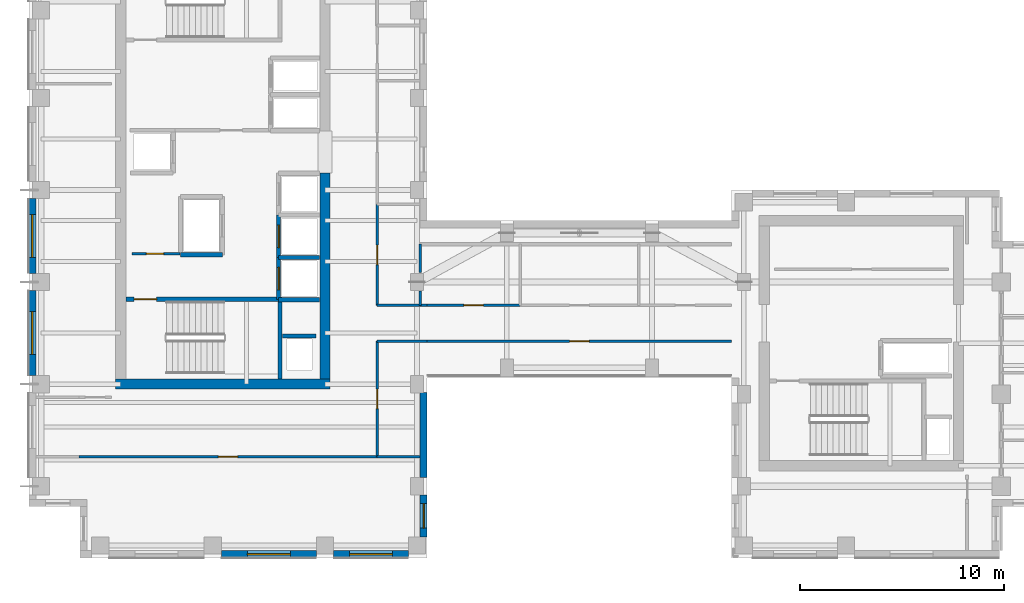
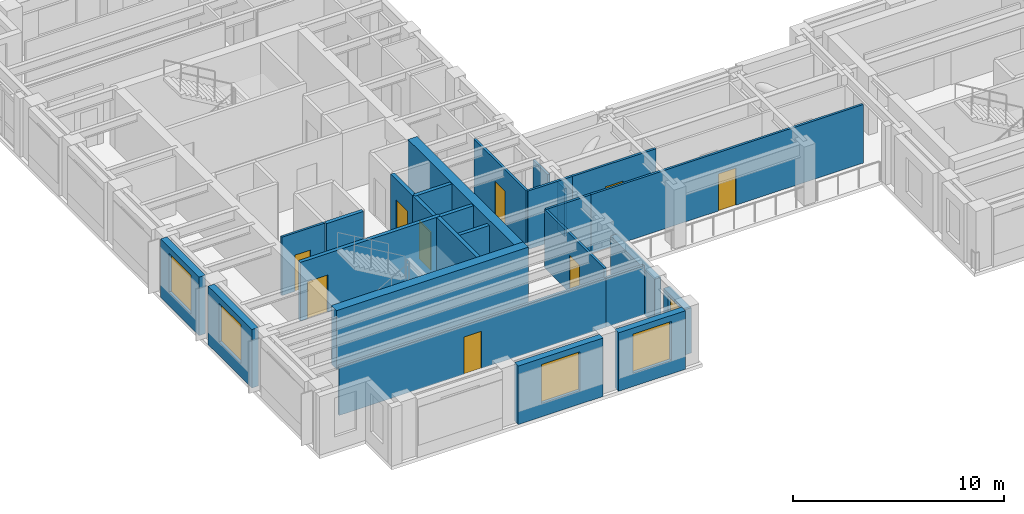
# One storey, part 6 of 13: 27 walls, 9 doors, 5 windows, 14 openings.
"""IFC4 building model written with IfcOpenShell, lengths in metres."""

from ifc_helpers import new_model, si_unit, direction, frame, frame_2d, origin, place, context, subcontext, project, spatial, rectangle, extrude, source, transform, mapped, material, layer, layer_set, type_object, element, fill, save


model = new_model("IFC4")

# Units and contexts
model_context = context("Model", 3, precision=1e-05, world=origin(), true_north=direction((0.0, 1.0)))
body_context = subcontext(model_context, "Body", "Model", "MODEL_VIEW")
ifc_project = project(units=[si_unit("LENGTHUNIT", "METRE"), si_unit("AREAUNIT", "SQUARE_METRE"), si_unit("VOLUMEUNIT", "CUBIC_METRE"), si_unit("PLANEANGLEUNIT", "RADIAN"), si_unit("MASSUNIT", "GRAM", prefix="KILO")], contexts=[model_context])

# Site, building, storey
site_placement = place(None, origin())
site = spatial("IfcSite", under=ifc_project, at=site_placement, CompositionType="ELEMENT")
building_placement = place(site_placement, origin())
building = spatial("IfcBuilding", under=site, at=building_placement, Name="Kharzan Plaza Tower", CompositionType="ELEMENT")
storey_placement = place(building_placement, frame((0.0, 0.0, 244.800048828125)))
storey = spatial("IfcBuildingStorey", under=building, at=storey_placement, Name="L66", CompositionType="ELEMENT", Elevation=244.800048828125)

# Wall, opening, window
ifc_material_1 = material(Name="Concrete C40/50", Category="concrete")
ifc_layer_1 = layer(ifc_material_1, 0.35009765625)
ifc_layer_set_1 = layer_set([ifc_layer_1], Name="Concrete C40/50")
wall_type_1 = type_object("IfcWallType", Name="WL-EXT-MAS-Z4", PredefinedType="SOLIDWALL", material=ifc_layer_set_1)
wall_1_placement = place(storey_placement, frame((0.175048828125, 17.576904296875, 0.0), z_axis=(0.0, 0.0, 1.0), x_axis=(0.0, -1.0, 0.0)))
wall_1 = element("IfcWall", 1, at=wall_1_placement, inside=storey, type_object=wall_type_1, Name="L66 Masonry-Frame Exterior Wall 21", PredefinedType="SOLIDWALL", context=body_context, shape_type="SweptSolid", body=[
    extrude(rectangle(XDim=3.65380859375, YDim=0.35009765625, at=frame_2d((1.826904296875, 0.0))), origin(), (0.0, 0.0, 1.0), 3.385009765625),
])
opening_1_placement = place(wall_1_placement, frame((0.777099609375, 0.0, 0.780029296875)))
opening_1 = element("IfcOpeningElement", 2, at=opening_1_placement, cuts=wall_1, Name="Opening W6", PredefinedType="OPENING", context=body_context, shape_type="SweptSolid", body=[
    extrude(rectangle(XDim=2.10009765625, YDim=2.25, at=frame_2d((1.050048828125, 1.125))), frame((0.0, 0.18505859375, 0.0), z_axis=(0.0, -1.0, 0.0), x_axis=(1.0, 0.0, 0.0)), (0.0, 0.0, 1.0), 0.3701171875),
])
ifc_material_2 = material(Name="Low-E Double Glazing", Category="glass")
window_type_1 = type_object("IfcWindowType", Name="WN-EXEC-2100x2250", PartitioningType="SINGLE_PANEL", PredefinedType="WINDOW", material=ifc_material_2)
shared_shape_1 = source(origin(), body_context, "Body", "SweptSolid", [
    extrude(rectangle(XDim=2.10009765625, YDim=2.25, at=frame_2d((1.050048828125, 1.125))), frame((0.0, 0.030029296875, 0.0), z_axis=(0.0, -1.0, 0.0), x_axis=(1.0, 0.0, 0.0)), (0.0, 0.0, 1.0), 0.06005859375),
])
window_1_placement = place(opening_1_placement, origin())
window_1 = element("IfcWindow", 3, at=window_1_placement, inside=storey, type_object=window_type_1, Name="L66 Recessed Solar-Control Window 21-1", OverallHeight=2.25, OverallWidth=2.10009765625, PartitioningType="SINGLE_PANEL", PredefinedType="WINDOW", context=body_context, shape_type="MappedRepresentation", body=[
    mapped(shared_shape_1, transform((0.0, 0.0, 0.0), x_axis=(1.0, 0.0, 0.0), y_axis=(0.0, 1.0, 0.0), z_axis=(0.0, 0.0, 1.0))),
])
fill(opening_1, window_1)

wall_2_placement = place(storey_placement, frame((0.175048828125, 13.076904296875, 0.0), z_axis=(0.0, 0.0, 1.0), x_axis=(0.0, -1.0, 0.0)))
wall_2 = element("IfcWall", 4, at=wall_2_placement, inside=storey, type_object=wall_type_1, Name="L66 Masonry-Frame Exterior Wall 22", PredefinedType="SOLIDWALL", context=body_context, shape_type="SweptSolid", body=[
    extrude(rectangle(XDim=4.15380859375, YDim=0.35009765625, at=frame_2d((2.076904296875, 0.0))), origin(), (0.0, 0.0, 1.0), 3.385009765625),
])
opening_2_placement = place(wall_2_placement, frame((1.027099609375, 0.0, 0.780029296875)))
opening_2 = element("IfcOpeningElement", 5, at=opening_2_placement, cuts=wall_2, Name="Opening W6", PredefinedType="OPENING", context=body_context, shape_type="SweptSolid", body=[
    extrude(rectangle(XDim=2.10009765625, YDim=2.25, at=frame_2d((1.050048828125, 1.125))), frame((0.0, 0.18505859375, 0.0), z_axis=(0.0, -1.0, 0.0), x_axis=(1.0, 0.0, 0.0)), (0.0, 0.0, 1.0), 0.3701171875),
])
window_2_placement = place(opening_2_placement, origin())
window_2 = element("IfcWindow", 6, at=window_2_placement, inside=storey, type_object=window_type_1, Name="L66 Recessed Solar-Control Window 22-1", OverallHeight=2.25, OverallWidth=2.10009765625, PartitioningType="SINGLE_PANEL", PredefinedType="WINDOW", context=body_context, shape_type="MappedRepresentation", body=[
    mapped(shared_shape_1, transform((0.0, 0.0, 0.0), x_axis=(1.0, 0.0, 0.0), y_axis=(0.0, 1.0, 0.0), z_axis=(0.0, 0.0, 1.0))),
])
fill(opening_2, window_2)

wall_3_placement = place(storey_placement, frame((9.423095703125, 0.175048828125, 0.0), z_axis=(0.0, 0.0, 1.0), x_axis=(1.0, 0.0, 0.0)))
wall_3 = element("IfcWall", 7, at=wall_3_placement, inside=storey, type_object=wall_type_1, Name="L66 Masonry-Frame Exterior Wall 29", PredefinedType="SOLIDWALL", context=body_context, shape_type="SweptSolid", body=[
    extrude(rectangle(XDim=4.65380859375, YDim=0.35009765625, at=frame_2d((2.326904296875, 0.0))), origin(), (0.0, 0.0, 1.0), 3.385009765625),
])
opening_3_placement = place(wall_3_placement, frame((1.277099609375, 0.0, 0.780029296875)))
opening_3 = element("IfcOpeningElement", 8, at=opening_3_placement, cuts=wall_3, Name="Opening W6", PredefinedType="OPENING", context=body_context, shape_type="SweptSolid", body=[
    extrude(rectangle(XDim=2.10009765625, YDim=2.25, at=frame_2d((1.050048828125, 1.125))), frame((0.0, 0.18505859375, 0.0), z_axis=(0.0, -1.0, 0.0), x_axis=(1.0, 0.0, 0.0)), (0.0, 0.0, 1.0), 0.3701171875),
])
window_3_placement = place(opening_3_placement, origin())
window_3 = element("IfcWindow", 9, at=window_3_placement, inside=storey, type_object=window_type_1, Name="L66 Recessed Solar-Control Window 29-1", OverallHeight=2.25, OverallWidth=2.10009765625, PartitioningType="SINGLE_PANEL", PredefinedType="WINDOW", context=body_context, shape_type="MappedRepresentation", body=[
    mapped(shared_shape_1, transform((0.0, 0.0, 0.0), x_axis=(1.0, 0.0, 0.0), y_axis=(0.0, 1.0, 0.0), z_axis=(0.0, 0.0, 1.0))),
])
fill(opening_3, window_3)

wall_4_placement = place(storey_placement, frame((14.923095703125, 0.175048828125, 0.0), z_axis=(0.0, 0.0, 1.0), x_axis=(1.0, 0.0, 0.0)))
wall_4 = element("IfcWall", 10, at=wall_4_placement, inside=storey, type_object=wall_type_1, Name="L66 Masonry-Frame Exterior Wall 30", PredefinedType="SOLIDWALL", context=body_context, shape_type="SweptSolid", body=[
    extrude(rectangle(XDim=3.65380859375, YDim=0.35009765625, at=frame_2d((1.826904296875, 0.0))), origin(), (0.0, 0.0, 1.0), 3.385009765625),
])
opening_4_placement = place(wall_4_placement, frame((0.777099609375, 0.0, 0.780029296875)))
opening_4 = element("IfcOpeningElement", 11, at=opening_4_placement, cuts=wall_4, Name="Opening W6", PredefinedType="OPENING", context=body_context, shape_type="SweptSolid", body=[
    extrude(rectangle(XDim=2.10009765625, YDim=2.25, at=frame_2d((1.050048828125, 1.125))), frame((0.0, 0.18505859375, 0.0), z_axis=(0.0, -1.0, 0.0), x_axis=(1.0, 0.0, 0.0)), (0.0, 0.0, 1.0), 0.3701171875),
])
window_4_placement = place(opening_4_placement, origin())
window_4 = element("IfcWindow", 12, at=window_4_placement, inside=storey, type_object=window_type_1, Name="L66 Recessed Solar-Control Window 30-1", OverallHeight=2.25, OverallWidth=2.10009765625, PartitioningType="SINGLE_PANEL", PredefinedType="WINDOW", context=body_context, shape_type="MappedRepresentation", body=[
    mapped(shared_shape_1, transform((0.0, 0.0, 0.0), x_axis=(1.0, 0.0, 0.0), y_axis=(0.0, 1.0, 0.0), z_axis=(0.0, 0.0, 1.0))),
])
fill(opening_4, window_4)

wall_5_placement = place(storey_placement, frame((19.324951171875, 1.02294921875, 0.0), z_axis=(0.0, 0.0, 1.0), x_axis=(0.0, 1.0, 0.0)))
wall_5 = element("IfcWall", 13, at=wall_5_placement, inside=storey, type_object=wall_type_1, Name="L66 Masonry-Frame Exterior Wall 31", PredefinedType="SOLIDWALL", context=body_context, shape_type="SweptSolid", body=[
    extrude(rectangle(XDim=2.053955078125, YDim=0.35009765625, at=frame_2d((1.02685546875, 0.0))), origin(), (0.0, 0.0, 1.0), 2.618896484375),
])
opening_5_placement = place(wall_5_placement, frame((0.427001953125, 0.0, 0.780029296875)))
opening_5 = element("IfcOpeningElement", 14, at=opening_5_placement, cuts=wall_5, Name="Opening W3", PredefinedType="OPENING", context=body_context, shape_type="SweptSolid", body=[
    extrude(rectangle(XDim=1.199951171875, YDim=1.658935546875, at=frame_2d((0.60009765625, 0.82958984375))), frame((0.0, 0.18505859375, 0.0), z_axis=(0.0, -1.0, 0.0), x_axis=(1.0, 0.0, 0.0)), (0.0, 0.0, 1.0), 0.3701171875),
])
window_type_2 = type_object("IfcWindowType", Name="WN-REC-1200x2100", PartitioningType="SINGLE_PANEL", PredefinedType="WINDOW", material=ifc_material_2)
shared_shape_2 = source(origin(), body_context, "Body", "SweptSolid", [
    extrude(rectangle(XDim=1.199951171875, YDim=1.658935546875, at=frame_2d((0.60009765625, 0.82958984375))), frame((0.0, 0.030029296875, 0.0), z_axis=(0.0, -1.0, 0.0), x_axis=(1.0, 0.0, 0.0)), (0.0, 0.0, 1.0), 0.06005859375),
])
window_5_placement = place(opening_5_placement, origin())
window_5 = element("IfcWindow", 15, at=window_5_placement, inside=storey, type_object=window_type_2, Name="L66 Recessed Solar-Control Window 31-1", OverallHeight=1.658935546875, OverallWidth=1.199951171875, PartitioningType="SINGLE_PANEL", PredefinedType="WINDOW", context=body_context, shape_type="MappedRepresentation", body=[
    mapped(shared_shape_2, transform((0.0, 0.0, 0.0), x_axis=(1.0, 0.0, 0.0), y_axis=(0.0, 1.0, 0.0), z_axis=(0.0, 0.0, 1.0))),
])
fill(opening_5, window_5)

# Wall, opening, door
ifc_material_3 = material(Name="Fire-Rated Gypsum Board Partition", Category="gypsum")
ifc_layer_2 = layer(ifc_material_3, 0.125)
ifc_layer_set_2 = layer_set([ifc_layer_2], Name="Fire-Rated Gypsum Board Partition")
wall_type_2 = type_object("IfcWallType", Name="WL-INT-PART-125", PredefinedType="PARTITIONING", material=ifc_layer_set_2)
wall_6_placement = place(storey_placement, frame((5.050048828125, 14.8798828125, 0.0), z_axis=(0.0, 0.0, 1.0), x_axis=(1.0, 0.0, 0.0)))
wall_6 = element("IfcWall", 16, at=wall_6_placement, inside=storey, type_object=wall_type_2, Name="L66 Interior Partition CA-K0", PredefinedType="PARTITIONING", context=body_context, shape_type="SweptSolid", body=[
    extrude(rectangle(XDim=2.349853515625, YDim=0.125, at=frame_2d((1.1748046875, 0.0))), origin(), (0.0, 0.0, 1.0), 3.385009765625),
])
opening_6_placement = place(wall_6_placement, frame((0.699951171875, 0.0, 0.0)))
opening_6 = element("IfcOpeningElement", 17, at=opening_6_placement, cuts=wall_6, Name="Opening RD1", PredefinedType="OPENING", context=body_context, shape_type="SweptSolid", body=[
    extrude(rectangle(XDim=0.85009765625, YDim=2.10009765625, at=frame_2d((0.425048828125, 1.050048828125))), frame((0.0, 0.072509765625, 0.0), z_axis=(0.0, -1.0, 0.0), x_axis=(1.0, 0.0, 0.0)), (0.0, 0.0, 1.0), 0.14501953125),
])
ifc_material_4 = material(Name="Powder-Coated Fire-Rated Steel", Category="steel")
door_type_1 = type_object("IfcDoorType", Name="DR-RISER-900", OperationType="NOTDEFINED", PredefinedType="DOOR", material=ifc_material_4)
shared_shape_3 = source(origin(), body_context, "Body", "SweptSolid", [
    extrude(rectangle(XDim=0.85009765625, YDim=2.10009765625, at=frame_2d((0.425048828125, 1.050048828125))), frame((0.0, 0.02490234375, 0.0), z_axis=(0.0, -1.0, 0.0), x_axis=(1.0, 0.0, 0.0)), (0.0, 0.0, 1.0), 0.050048828125),
])
door_1_placement = place(opening_6_placement, origin())
door_1 = element("IfcDoor", 18, at=door_1_placement, inside=storey, type_object=door_type_1, Name="L66 Cleaners Store Door", OperationType="SINGLE_SWING_LEFT", OverallHeight=2.10009765625, OverallWidth=0.85009765625, PredefinedType="DOOR", context=body_context, shape_type="MappedRepresentation", body=[
    mapped(shared_shape_3, transform((0.0, 0.0, 0.0), x_axis=(1.0, 0.0, 0.0), y_axis=(0.0, 1.0, 0.0), z_axis=(0.0, 0.0, 1.0))),
])
fill(opening_6, door_1)

wall_7_placement = place(storey_placement, frame((17.050048828125, 12.35009765625, 0.0), z_axis=(0.0, 0.0, 1.0), x_axis=(0.0, 1.0, 0.0)))
wall_7 = element("IfcWall", 19, at=wall_7_placement, inside=storey, type_object=wall_type_2, Name="L66 Interior Partition SH-AEWN1", PredefinedType="PARTITIONING", context=body_context, shape_type="SweptSolid", body=[
    extrude(rectangle(XDim=4.949951171875, YDim=0.125, at=frame_2d((2.47509765625, 0.0))), origin(), (0.0, 0.0, 1.0), 3.385009765625),
])
opening_7_placement = place(wall_7_placement, frame((2.0, 0.0, 0.0)))
opening_7 = element("IfcOpeningElement", 20, at=opening_7_placement, cuts=wall_7, Name="Opening OD1", PredefinedType="OPENING", context=body_context, shape_type="SweptSolid", body=[
    extrude(rectangle(XDim=0.949951171875, YDim=2.14990234375, at=frame_2d((0.47509765625, 1.074951171875))), frame((0.0, 0.072509765625, 0.0), z_axis=(0.0, -1.0, 0.0), x_axis=(1.0, 0.0, 0.0)), (0.0, 0.0, 1.0), 0.14501953125),
])
ifc_material_5 = material(Name="Acoustic Solid-Core Stained Oak", Category="timber")
door_type_2 = type_object("IfcDoorType", Name="DR-OFF-SINGLE", OperationType="NOTDEFINED", PredefinedType="DOOR", material=ifc_material_5)
shared_shape_4 = source(origin(), body_context, "Body", "SweptSolid", [
    extrude(rectangle(XDim=0.949951171875, YDim=2.14990234375, at=frame_2d((0.47509765625, 1.074951171875))), frame((0.0, 0.02490234375, 0.0), z_axis=(0.0, -1.0, 0.0), x_axis=(1.0, 0.0, 0.0)), (0.0, 0.0, 1.0), 0.050048828125),
])
door_2_placement = place(opening_7_placement, origin())
door_2 = element("IfcDoor", 21, at=door_2_placement, inside=storey, type_object=door_type_2, Name="L66 Slot Collaboration Door", OperationType="SINGLE_SWING_LEFT", OverallHeight=2.14990234375, OverallWidth=0.949951171875, PredefinedType="DOOR", context=body_context, shape_type="MappedRepresentation", body=[
    mapped(shared_shape_4, transform((0.0, 0.0, 0.0), x_axis=(1.0, 0.0, 0.0), y_axis=(0.0, 1.0, 0.0), z_axis=(0.0, 0.0, 1.0))),
])
fill(opening_7, door_2)

wall_8_placement = place(storey_placement, frame((17.050048828125, 4.949951171875, 0.0), z_axis=(0.0, 0.0, 1.0), x_axis=(0.0, 1.0, 0.0)))
wall_8 = element("IfcWall", 22, at=wall_8_placement, inside=storey, type_object=wall_type_2, Name="L66 Interior Partition SH-AEWS", PredefinedType="PARTITIONING", context=body_context, shape_type="SweptSolid", body=[
    extrude(rectangle(XDim=5.650146484375, YDim=0.125, at=frame_2d((2.8251953125, 0.0))), origin(), (0.0, 0.0, 1.0), 3.385009765625),
])
opening_8_placement = place(wall_8_placement, frame((2.35009765625, 0.0, 0.0)))
opening_8 = element("IfcOpeningElement", 23, at=opening_8_placement, cuts=wall_8, Name="Opening OD1", PredefinedType="OPENING", context=body_context, shape_type="SweptSolid", body=[
    extrude(rectangle(XDim=0.949951171875, YDim=2.14990234375, at=frame_2d((0.47509765625, 1.074951171875))), frame((0.0, 0.072509765625, 0.0), z_axis=(0.0, -1.0, 0.0), x_axis=(1.0, 0.0, 0.0)), (0.0, 0.0, 1.0), 0.14501953125),
])
door_3_placement = place(opening_8_placement, origin())
door_3 = element("IfcDoor", 24, at=door_3_placement, inside=storey, type_object=door_type_2, Name="L66 Slot South Office Door", OperationType="SINGLE_SWING_RIGHT", OverallHeight=2.14990234375, OverallWidth=0.949951171875, PredefinedType="DOOR", context=body_context, shape_type="MappedRepresentation", body=[
    mapped(shared_shape_4, transform((0.0, 0.0, 0.0), x_axis=(1.0, 0.0, 0.0), y_axis=(0.0, 1.0, 0.0), z_axis=(0.0, 0.0, 1.0))),
])
fill(opening_8, door_3)

wall_9_placement = place(storey_placement, frame((19.5, 12.35009765625, 0.0), z_axis=(0.0, 0.0, 1.0), x_axis=(1.0, 0.0, 0.0)))
wall_9 = element("IfcWall", 25, at=wall_9_placement, inside=storey, type_object=wall_type_2, Name="L66 Interior Partition SH-SPNW1", PredefinedType="PARTITIONING", context=body_context, shape_type="SweptSolid", body=[
    extrude(rectangle(XDim=4.550048828125, YDim=0.125, at=frame_2d((2.27490234375, 0.0))), origin(), (0.0, 0.0, 1.0), 3.385009765625),
])
opening_9_placement = place(wall_9_placement, frame((1.800048828125, 0.0, 0.0)))
opening_9 = element("IfcOpeningElement", 26, at=opening_9_placement, cuts=wall_9, Name="Opening OD1", PredefinedType="OPENING", context=body_context, shape_type="SweptSolid", body=[
    extrude(rectangle(XDim=0.949951171875, YDim=2.14990234375, at=frame_2d((0.47509765625, 1.074951171875))), frame((0.0, 0.072509765625, 0.0), z_axis=(0.0, -1.0, 0.0), x_axis=(1.0, 0.0, 0.0)), (0.0, 0.0, 1.0), 0.14501953125),
])
door_4_placement = place(opening_9_placement, origin())
door_4 = element("IfcDoor", 27, at=door_4_placement, inside=storey, type_object=door_type_2, Name="L66 North-West Spine Door", OperationType="SINGLE_SWING_RIGHT", OverallHeight=2.14990234375, OverallWidth=0.949951171875, PredefinedType="DOOR", context=body_context, shape_type="MappedRepresentation", body=[
    mapped(shared_shape_4, transform((0.0, 0.0, 0.0), x_axis=(1.0, 0.0, 0.0), y_axis=(0.0, 1.0, 0.0), z_axis=(0.0, 0.0, 1.0))),
])
fill(opening_9, door_4)

wall_10_placement = place(storey_placement, frame((19.5, 10.60009765625, 0.0), z_axis=(0.0, 0.0, 1.0), x_axis=(1.0, 0.0, 0.0)))
wall_10 = element("IfcWall", 28, at=wall_10_placement, inside=storey, type_object=wall_type_2, Name="L66 Interior Partition SH-SPS1", PredefinedType="PARTITIONING", context=body_context, shape_type="SweptSolid", body=[
    extrude(rectangle(XDim=14.89990234375, YDim=0.125, at=frame_2d((7.449951171875, 0.0))), origin(), (0.0, 0.0, 1.0), 3.385009765625),
])
opening_10_placement = place(wall_10_placement, frame((6.97509765625, 0.0, 0.0)))
opening_10 = element("IfcOpeningElement", 29, at=opening_10_placement, cuts=wall_10, Name="Opening OD1", PredefinedType="OPENING", context=body_context, shape_type="SweptSolid", body=[
    extrude(rectangle(XDim=0.949951171875, YDim=2.14990234375, at=frame_2d((0.47509765625, 1.074951171875))), frame((0.0, 0.072509765625, 0.0), z_axis=(0.0, -1.0, 0.0), x_axis=(1.0, 0.0, 0.0)), (0.0, 0.0, 1.0), 0.14501953125),
])
door_5_placement = place(opening_10_placement, origin())
door_5 = element("IfcDoor", 30, at=door_5_placement, inside=storey, type_object=door_type_2, Name="L66 South Spine Studio Door", OperationType="SINGLE_SWING_LEFT", OverallHeight=2.14990234375, OverallWidth=0.949951171875, PredefinedType="DOOR", context=body_context, shape_type="MappedRepresentation", body=[
    mapped(shared_shape_4, transform((0.0, 0.0, 0.0), x_axis=(1.0, 0.0, 0.0), y_axis=(0.0, 1.0, 0.0), z_axis=(0.0, 0.0, 1.0))),
])
fill(opening_10, door_5)

wall_11_placement = place(storey_placement, frame((2.449951171875, 4.949951171875, 0.0), z_axis=(0.0, 0.0, 1.0), x_axis=(1.0, 0.0, 0.0)))
wall_11 = element("IfcWall", 31, at=wall_11_placement, inside=storey, type_object=wall_type_2, Name="L66 Interior Partition SH-SS-1", PredefinedType="PARTITIONING", context=body_context, shape_type="SweptSolid", body=[
    extrude(rectangle(XDim=14.60009765625, YDim=0.125, at=frame_2d((7.300048828125, 0.0))), origin(), (0.0, 0.0, 1.0), 2.847900390625),
])
opening_11_placement = place(wall_11_placement, frame((6.824951171875, 0.0, 0.0)))
opening_11 = element("IfcOpeningElement", 32, at=opening_11_placement, cuts=wall_11, Name="Opening OD1", PredefinedType="OPENING", context=body_context, shape_type="SweptSolid", body=[
    extrude(rectangle(XDim=0.949951171875, YDim=2.14990234375, at=frame_2d((0.47509765625, 1.074951171875))), frame((0.0, 0.072509765625, 0.0), z_axis=(0.0, -1.0, 0.0), x_axis=(1.0, 0.0, 0.0)), (0.0, 0.0, 1.0), 0.14501953125),
])
door_6_placement = place(opening_11_placement, origin())
door_6 = element("IfcDoor", 33, at=door_6_placement, inside=storey, type_object=door_type_2, Name="L66 Arbitration Hearing Room Door", OperationType="SINGLE_SWING_RIGHT", OverallHeight=2.14990234375, OverallWidth=0.949951171875, PredefinedType="DOOR", context=body_context, shape_type="MappedRepresentation", body=[
    mapped(shared_shape_4, transform((0.0, 0.0, 0.0), x_axis=(1.0, 0.0, 0.0), y_axis=(0.0, 1.0, 0.0), z_axis=(0.0, 0.0, 1.0))),
])
fill(opening_11, door_6)

ifc_layer_3 = layer(ifc_material_1, 0.199951171875)
ifc_layer_set_3 = layer_set([ifc_layer_3], Name="Concrete C40/50")
wall_type_3 = type_object("IfcWallType", Name="WL-INT-SHAFT-200", PredefinedType="PARTITIONING", material=ifc_layer_set_3)
wall_12_placement = place(storey_placement, frame((12.22998046875, 12.6298828125, 0.0), z_axis=(0.0, 0.0, 1.0), x_axis=(0.0, 1.0, 0.0)))
wall_12 = element("IfcWall", 34, at=wall_12_placement, inside=storey, type_object=wall_type_3, Name="L66 Interior Partition SHF-PL-H1-W", PredefinedType="PARTITIONING", context=body_context, shape_type="SweptSolid", body=[
    extrude(rectangle(XDim=2.070068359375, YDim=0.199951171875, at=frame_2d((1.03515625, 0.0))), origin(), (0.0, 0.0, 1.0), 3.385009765625),
])
opening_12_placement = place(wall_12_placement, frame((0.485107421875, 0.0, 0.0)))
opening_12 = element("IfcOpeningElement", 35, at=opening_12_placement, cuts=wall_12, Name="Opening LD", PredefinedType="OPENING", context=body_context, shape_type="SweptSolid", body=[
    extrude(rectangle(XDim=1.10009765625, YDim=2.199951171875, at=frame_2d((0.550048828125, 1.10009765625))), frame((0.0, 0.10986328125, 0.0), z_axis=(0.0, -1.0, 0.0), x_axis=(1.0, 0.0, 0.0)), (0.0, 0.0, 1.0), 0.219970703125),
])
ifc_material_6 = material(Name="Brushed Stainless Steel", Category="steel")
door_type_3 = type_object("IfcDoorType", Name="DR-LIFT-SLIDE", OperationType="SLIDING_TO_LEFT", PredefinedType="DOOR", material=ifc_material_6)
shared_shape_5 = source(origin(), body_context, "Body", "SweptSolid", [
    extrude(rectangle(XDim=1.10009765625, YDim=2.199951171875, at=frame_2d((0.550048828125, 1.10009765625))), frame((0.0, 0.02490234375, 0.0), z_axis=(0.0, -1.0, 0.0), x_axis=(1.0, 0.0, 0.0)), (0.0, 0.0, 1.0), 0.050048828125),
])
door_7_placement = place(opening_12_placement, origin())
door_7 = element("IfcDoor", 36, at=door_7_placement, inside=storey, type_object=door_type_3, Name="L66 High-Rise Passenger Lift PL-H1 Sliding Landing Door", OperationType="SLIDING_TO_LEFT", OverallHeight=2.199951171875, OverallWidth=1.10009765625, PredefinedType="DOOR", context=body_context, shape_type="MappedRepresentation", body=[
    mapped(shared_shape_5, transform((0.0, 0.0, 0.0), x_axis=(1.0, 0.0, 0.0), y_axis=(0.0, 1.0, 0.0), z_axis=(0.0, 0.0, 1.0))),
])
fill(opening_12, door_7)

wall_13_placement = place(storey_placement, frame((12.22998046875, 14.699951171875, 0.0), z_axis=(0.0, 0.0, 1.0), x_axis=(0.0, 1.0, 0.0)))
wall_13 = element("IfcWall", 37, at=wall_13_placement, inside=storey, type_object=wall_type_3, Name="L66 Interior Partition SHF-PL-H2-W", PredefinedType="PARTITIONING", context=body_context, shape_type="SweptSolid", body=[
    extrude(rectangle(XDim=2.070068359375, YDim=0.199951171875, at=frame_2d((1.03515625, 0.0))), origin(), (0.0, 0.0, 1.0), 3.385009765625),
])
opening_13_placement = place(wall_13_placement, frame((0.485107421875, 0.0, 0.0)))
opening_13 = element("IfcOpeningElement", 38, at=opening_13_placement, cuts=wall_13, Name="Opening LD", PredefinedType="OPENING", context=body_context, shape_type="SweptSolid", body=[
    extrude(rectangle(XDim=1.10009765625, YDim=2.199951171875, at=frame_2d((0.550048828125, 1.10009765625))), frame((0.0, 0.10986328125, 0.0), z_axis=(0.0, -1.0, 0.0), x_axis=(1.0, 0.0, 0.0)), (0.0, 0.0, 1.0), 0.219970703125),
])
door_8_placement = place(opening_13_placement, origin())
door_8 = element("IfcDoor", 39, at=door_8_placement, inside=storey, type_object=door_type_3, Name="L66 High-Rise Passenger Lift PL-H2 Sliding Landing Door", OperationType="SLIDING_TO_LEFT", OverallHeight=2.199951171875, OverallWidth=1.10009765625, PredefinedType="DOOR", context=body_context, shape_type="MappedRepresentation", body=[
    mapped(shared_shape_5, transform((0.0, 0.0, 0.0), x_axis=(1.0, 0.0, 0.0), y_axis=(0.0, 1.0, 0.0), z_axis=(0.0, 0.0, 1.0))),
])
fill(opening_13, door_8)

ifc_material_7 = material(Name="Concrete C50/60", Category="concrete")
ifc_layer_4 = layer(ifc_material_7, 0.199951171875)
ifc_layer_set_4 = layer_set([ifc_layer_4], Name="Concrete C50/60")
wall_type_4 = type_object("IfcWallType", Name="WL-SHAFT-RC200", PredefinedType="SHEAR", material=ifc_layer_set_4)
wall_14_placement = place(storey_placement, frame((4.751953125, 12.655029296875, 0.0), z_axis=(0.0, 0.0, 1.0), x_axis=(1.0, 0.0, 0.0)))
wall_14 = element("IfcWall", 40, at=wall_14_placement, inside=storey, type_object=wall_type_4, Name="L66 Stair ST-1 North RC Shaft Wall", PredefinedType="SHEAR", context=body_context, shape_type="SweptSolid", body=[
    extrude(rectangle(XDim=7.653076171875, YDim=0.199951171875, at=frame_2d((3.82666015625, 0.0))), origin(), (0.0, 0.0, 1.0), 3.39990234375),
])
opening_14_placement = place(wall_14_placement, frame((0.39990234375, 0.0, 0.0)))
opening_14 = element("IfcOpeningElement", 41, at=opening_14_placement, cuts=wall_14, Name="Opening SD1", PredefinedType="OPENING", context=body_context, shape_type="SweptSolid", body=[
    extrude(rectangle(XDim=1.10009765625, YDim=2.14990234375, at=frame_2d((0.550048828125, 1.074951171875))), frame((0.0, 0.10986328125, 0.0), z_axis=(0.0, -1.0, 0.0), x_axis=(1.0, 0.0, 0.0)), (0.0, 0.0, 1.0), 0.219970703125),
])
ifc_material_8 = material(Name="Fire-Rated Hollow Galvanized Steel", Category="steel")
door_type_4 = type_object("IfcDoorType", Name="DR-STAIR-FD120", OperationType="NOTDEFINED", PredefinedType="DOOR", material=ifc_material_8)
shared_shape_6 = source(origin(), body_context, "Body", "SweptSolid", [
    extrude(rectangle(XDim=1.10009765625, YDim=2.14990234375, at=frame_2d((0.550048828125, 1.074951171875))), frame((0.0, 0.02490234375, 0.0), z_axis=(0.0, -1.0, 0.0), x_axis=(1.0, 0.0, 0.0)), (0.0, 0.0, 1.0), 0.050048828125),
])
door_9_placement = place(opening_14_placement, origin())
door_9 = element("IfcDoor", 42, at=door_9_placement, inside=storey, type_object=door_type_4, Name="L66 Stair ST-1 Fire Exit Door", OperationType="SINGLE_SWING_RIGHT", OverallHeight=2.14990234375, OverallWidth=1.10009765625, PredefinedType="DOOR", context=body_context, shape_type="MappedRepresentation", body=[
    mapped(shared_shape_6, transform((0.0, 0.0, 0.0), x_axis=(1.0, 0.0, 0.0), y_axis=(0.0, 1.0, 0.0), z_axis=(0.0, 0.0, 1.0))),
])
fill(opening_14, door_9)

# Walls
shared_shape_7 = source(origin(), body_context, "Body", "SweptSolid", [
    extrude(rectangle(XDim=2.449951171875, YDim=0.125, at=frame_2d((1.22509765625, 0.0))), origin(), (0.0, 0.0, 1.0), 3.385009765625),
])
for number, where, z_axis, x_axis, name in (
    (43, (17.050048828125, 12.35009765625, 0.0), (0.0, 0.0, 1.0), (1.0, 0.0, 0.0), "L66 Interior Partition SH-SPNW0"),
    (44, (17.050048828125, 10.60009765625, 0.0), (0.0, 0.0, 1.0), (1.0, 0.0, 0.0), "L66 Interior Partition SH-SPS0"),
):
    element("IfcWall", number, at=place(storey_placement, frame(where, z_axis=z_axis, x_axis=x_axis)), inside=storey, type_object=wall_type_2, Name=name, PredefinedType="PARTITIONING", context=body_context, shape_type="MappedRepresentation", body=[
        mapped(shared_shape_7, transform((0.0, 0.0, 0.0), x_axis=(1.0, 0.0, 0.0), y_axis=(0.0, 1.0, 0.0), z_axis=(0.0, 0.0, 1.0))),
    ])
shared_shape_8 = source(origin(), body_context, "Body", "SweptSolid", [
    extrude(rectangle(XDim=2.097900390625, YDim=0.125, at=frame_2d((1.048828125, 0.0))), origin(), (0.0, 0.0, 1.0), 2.847900390625),
])
wall_15_placement = place(storey_placement, frame((17.050048828125, 4.949951171875, 0.0), z_axis=(0.0, 0.0, 1.0), x_axis=(1.0, 0.0, 0.0)))
element("IfcWall", 45, at=wall_15_placement, inside=storey, type_object=wall_type_2, Name="L66 Interior Partition SH-SSE-1", PredefinedType="PARTITIONING", context=body_context, shape_type="MappedRepresentation", body=[
    mapped(shared_shape_8, transform((0.0, 0.0, 0.0), x_axis=(1.0, 0.0, 0.0), y_axis=(0.0, 1.0, 0.0), z_axis=(0.0, 0.0, 1.0))),
])
shared_shape_9 = source(origin(), body_context, "Body", "SweptSolid", [
    extrude(rectangle(XDim=1.630126953125, YDim=0.199951171875, at=frame_2d((0.81494140625, 0.0))), origin(), (0.0, 0.0, 1.0), 3.385009765625),
])
wall_16_placement = place(storey_placement, frame((12.419921875, 10.85009765625, 0.0), z_axis=(0.0, 0.0, 1.0), x_axis=(1.0, 0.0, 0.0)))
element("IfcWall", 46, at=wall_16_placement, inside=storey, type_object=wall_type_3, Name="L66 Interior Partition CA-RSRA-N", PredefinedType="PARTITIONING", context=body_context, shape_type="MappedRepresentation", body=[
    mapped(shared_shape_9, transform((0.0, 0.0, 0.0), x_axis=(1.0, 0.0, 0.0), y_axis=(0.0, 1.0, 0.0), z_axis=(0.0, 0.0, 1.0))),
])
shared_shape_10 = source(origin(), body_context, "Body", "SweptSolid", [
    extrude(rectangle(XDim=2.0400390625, YDim=0.199951171875, at=frame_2d((1.02001953125, 0.0))), origin(), (0.0, 0.0, 1.0), 3.385009765625),
])
wall_17_placement = place(storey_placement, frame((7.429931640625, 14.830078125, 0.0), z_axis=(0.0, 0.0, 1.0), x_axis=(1.0, 0.0, 0.0)))
element("IfcWall", 47, at=wall_17_placement, inside=storey, type_object=wall_type_3, Name="L66 Interior Partition SHF-SVL-1-S", PredefinedType="PARTITIONING", context=body_context, shape_type="MappedRepresentation", body=[
    mapped(shared_shape_10, transform((0.0, 0.0, 0.0), x_axis=(1.0, 0.0, 0.0), y_axis=(0.0, 1.0, 0.0), z_axis=(0.0, 0.0, 1.0))),
])
shared_shape_11 = source(origin(), body_context, "Body", "SweptSolid", [
    extrude(rectangle(XDim=1.989990234375, YDim=0.199951171875, at=frame_2d((0.9951171875, 0.0))), origin(), (0.0, 0.0, 1.0), 3.385009765625),
])
for number, where, z_axis, x_axis, name in (
    (48, (12.22998046875, 14.699951171875, 0.0), (0.0, 0.0, 1.0), (1.0, 0.0, 0.0), "L66 Interior Partition SHF-PL-H1-N"),
    (49, (12.22998046875, 12.6298828125, 0.0), (0.0, 0.0, 1.0), (1.0, 0.0, 0.0), "L66 Interior Partition SHF-PL-H1-S"),
):
    element("IfcWall", number, at=place(storey_placement, frame(where, z_axis=z_axis, x_axis=x_axis)), inside=storey, type_object=wall_type_3, Name=name, PredefinedType="PARTITIONING", context=body_context, shape_type="MappedRepresentation", body=[
        mapped(shared_shape_11, transform((0.0, 0.0, 0.0), x_axis=(1.0, 0.0, 0.0), y_axis=(0.0, 1.0, 0.0), z_axis=(0.0, 0.0, 1.0))),
    ])
ifc_layer_5 = layer(ifc_material_7, 0.5)
ifc_layer_set_5 = layer_set([ifc_layer_5], Name="Concrete C50/60")
wall_type_5 = type_object("IfcWallType", Name="WL-CORE-500", PredefinedType="SHEAR", material=ifc_layer_set_5)
shared_shape_12 = source(origin(), body_context, "Body", "SweptSolid", [
    extrude(rectangle(XDim=10.070068359375, YDim=0.5, at=frame_2d((5.03515625, 0.0))), origin(), (0.0, 0.0, 1.0), 3.39990234375),
])
wall_18_placement = place(storey_placement, frame((14.5, 8.75, 0.0), z_axis=(0.0, 0.0, 1.0), x_axis=(0.0, 1.0, 0.0)))
element("IfcWall", 50, at=wall_18_placement, inside=storey, type_object=wall_type_5, Name="L66 CORE-A east shear pier 1", PredefinedType="SHEAR", context=body_context, shape_type="MappedRepresentation", body=[
    mapped(shared_shape_12, transform((0.0, 0.0, 0.0), x_axis=(1.0, 0.0, 0.0), y_axis=(0.0, 1.0, 0.0), z_axis=(0.0, 0.0, 1.0))),
])
shared_shape_13 = source(origin(), body_context, "Body", "SweptSolid", [
    extrude(rectangle(XDim=10.5, YDim=0.5, at=frame_2d((5.25, 0.0))), origin(), (0.0, 0.0, 1.0), 3.39990234375),
])
wall_19_placement = place(storey_placement, frame((4.25, 8.5, 0.0), z_axis=(0.0, 0.0, 1.0), x_axis=(1.0, 0.0, 0.0)))
element("IfcWall", 51, at=wall_19_placement, inside=storey, type_object=wall_type_5, Name="L66 CORE-A south RC shear wall", PredefinedType="SHEAR", context=body_context, shape_type="MappedRepresentation", body=[
    mapped(shared_shape_13, transform((0.0, 0.0, 0.0), x_axis=(1.0, 0.0, 0.0), y_axis=(0.0, 1.0, 0.0), z_axis=(0.0, 0.0, 1.0))),
])
shared_shape_14 = source(origin(), body_context, "Body", "SweptSolid", [
    extrude(rectangle(XDim=0.699951171875, YDim=0.125, at=frame_2d((0.35009765625, 0.0))), origin(), (0.0, 0.0, 1.0), 2.77294921875),
])
wall_20_placement = place(storey_placement, frame((19.14990234375, 12.35009765625, 0.0), z_axis=(0.0, 0.0, 1.0), x_axis=(0.0, 1.0, 0.0)))
element("IfcWall", 52, at=wall_20_placement, inside=storey, type_object=wall_type_2, Name="L66 Interior Partition SH-AEN-DIV-S1", PredefinedType="PARTITIONING", context=body_context, shape_type="MappedRepresentation", body=[
    mapped(shared_shape_14, transform((0.0, 0.0, 0.0), x_axis=(1.0, 0.0, 0.0), y_axis=(0.0, 1.0, 0.0), z_axis=(0.0, 0.0, 1.0))),
])
shared_shape_15 = source(origin(), body_context, "Body", "SweptSolid", [
    extrude(rectangle(XDim=3.802978515625, YDim=0.199951171875, at=frame_2d((1.9013671875, 0.0))), origin(), (0.0, 0.0, 1.0), 3.39990234375),
])
wall_21_placement = place(storey_placement, frame((12.304931640625, 8.751953125, 0.0), z_axis=(0.0, 0.0, 1.0), x_axis=(0.0, 1.0, 0.0)))
element("IfcWall", 53, at=wall_21_placement, inside=storey, type_object=wall_type_4, Name="L66 Stair ST-1 East RC Shaft Wall", PredefinedType="SHEAR", context=body_context, shape_type="MappedRepresentation", body=[
    mapped(shared_shape_15, transform((0.0, 0.0, 0.0), x_axis=(1.0, 0.0, 0.0), y_axis=(0.0, 1.0, 0.0), z_axis=(0.0, 0.0, 1.0))),
])
shared_shape_16 = source(origin(), body_context, "Body", "SweptSolid", [
    extrude(rectangle(XDim=4.15380859375, YDim=0.35009765625, at=frame_2d((2.076904296875, 0.0))), origin(), (0.0, 0.0, 1.0), 2.618896484375),
])
wall_22_placement = place(storey_placement, frame((19.324951171875, 3.923095703125, 0.0), z_axis=(0.0, 0.0, 1.0), x_axis=(0.0, 1.0, 0.0)))
element("IfcWall", 54, at=wall_22_placement, inside=storey, type_object=wall_type_1, Name="L66 Masonry-Frame Exterior Wall 32", PredefinedType="SOLIDWALL", context=body_context, shape_type="MappedRepresentation", body=[
    mapped(shared_shape_16, transform((0.0, 0.0, 0.0), x_axis=(1.0, 0.0, 0.0), y_axis=(0.0, 1.0, 0.0), z_axis=(0.0, 0.0, 1.0))),
])
shared_shape_17 = source(origin(), body_context, "Body", "SweptSolid", [
    extrude(rectangle(XDim=1.400146484375, YDim=0.125, at=frame_2d((0.7001953125, 0.0))), origin(), (0.0, 0.0, 1.0), 2.618896484375),
])
wall_23_placement = place(storey_placement, frame((19.14990234375, 13.949951171875, 0.0), z_axis=(0.0, 0.0, 1.0), x_axis=(0.0, 1.0, 0.0)))
element("IfcWall", 55, at=wall_23_placement, inside=storey, type_object=wall_type_2, Name="L66 Interior Partition SH-AEN-DIV-S2", PredefinedType="PARTITIONING", context=body_context, shape_type="MappedRepresentation", body=[
    mapped(shared_shape_17, transform((0.0, 0.0, 0.0), x_axis=(1.0, 0.0, 0.0), y_axis=(0.0, 1.0, 0.0), z_axis=(0.0, 0.0, 1.0))),
])

save(model, "model.ifc")
